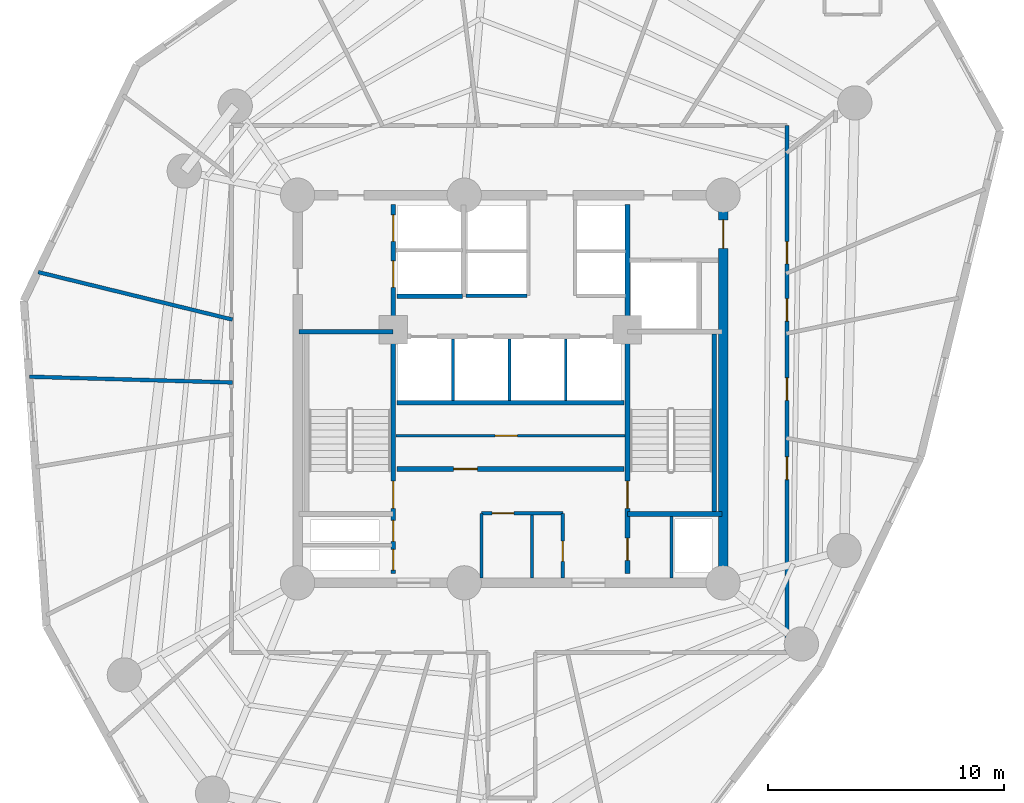
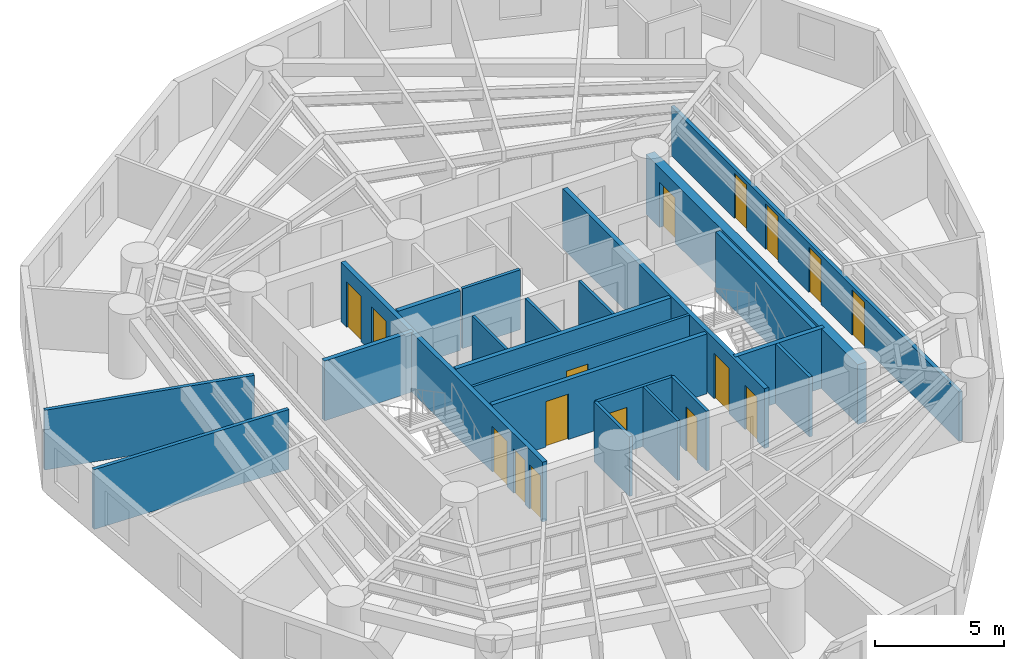
# One storey, part 4 of 7: 22 walls, 16 doors, 16 openings.
"""IFC4 building model written with IfcOpenShell, lengths in metres."""

from ifc_helpers import new_model, si_unit, direction, frame, frame_2d, origin, origin_with_axes, place, context, subcontext, project, spatial, rectangle, extrude, source, transform, mapped, material, layer, layer_set, type_object, element, fill, save


model = new_model("IFC4")

# Units and contexts
model_context = context("Model", 3, precision=1e-05, world=origin(), true_north=direction((0.0, 1.0)))
body_context = subcontext(model_context, "Body", "Model", "MODEL_VIEW")
ifc_project = project(units=[si_unit("LENGTHUNIT", "METRE"), si_unit("AREAUNIT", "SQUARE_METRE"), si_unit("VOLUMEUNIT", "CUBIC_METRE"), si_unit("PLANEANGLEUNIT", "RADIAN"), si_unit("MASSUNIT", "GRAM", prefix="KILO")], contexts=[model_context])

# Site, building, storey
site_placement = place(None, origin())
site = spatial("IfcSite", under=ifc_project, at=site_placement, CompositionType="ELEMENT")
building_placement = place(site_placement, origin())
building = spatial("IfcBuilding", under=site, at=building_placement, Name="Karkom Vertical University and Central Library", CompositionType="ELEMENT")
storey_placement = place(building_placement, frame((0.0, 0.0, 123.64990234375)))
storey = spatial("IfcBuildingStorey", under=building, at=storey_placement, Name="L34", CompositionType="ELEMENT", Elevation=123.64990234375)

# Wall, openings, doors
ifc_material_1 = material(Name="Insulated metal-stud drywall 160mm", Category="gypsum")
ifc_layer_1 = layer(ifc_material_1, 0.159912109375)
ifc_layer_set_1 = layer_set([ifc_layer_1], Name="Insulated metal-stud drywall 160mm")
wall_type_1 = type_object("IfcWallType", Name="INT-WL-COR-160", PredefinedType="PARTITIONING", material=ifc_layer_set_1)
wall_1_placement = place(storey_placement, frame((40.199951171875, 37.64990234375, 0.0), z_axis=(0.0, 0.0, 1.0), x_axis=(0.0, -1.0, 0.0)))
wall_1 = element("IfcWall", 1, at=wall_1_placement, inside=storey, type_object=wall_type_1, Name="Level 34 Interior Partition Wall L34-CORW-CW-004", PredefinedType="PARTITIONING", context=body_context, shape_type="SweptSolid", body=[
    extrude(rectangle(XDim=22.2998046875, YDim=0.159912109375, at=frame_2d((11.14990234375, 0.0))), origin(), (0.0, 0.0, 1.0), 2.3251953125),
])
opening_1_placement = place(wall_1_placement, frame((14.02001953125, 0.0, 0.0)))
opening_1 = element("IfcOpeningElement", 2, at=opening_1_placement, cuts=wall_1, Name="Opening FD-RM2", PredefinedType="OPENING", context=body_context, shape_type="SweptSolid", body=[
    extrude(rectangle(XDim=0.9599609375, YDim=2.14990234375, at=frame_2d((0.47998046875, 1.074951171875))), frame((0.0, 0.08984375, 0.0), z_axis=(0.0, -1.0, 0.0), x_axis=(1.0, 0.0, 0.0)), (0.0, 0.0, 1.0), 0.179931640625),
])
opening_2_placement = place(wall_1_placement, frame((10.675048828125, 0.0, 0.0)))
opening_2 = element("IfcOpeningElement", 3, at=opening_2_placement, cuts=wall_1, Name="Opening FD-RM2", PredefinedType="OPENING", context=body_context, shape_type="SweptSolid", body=[
    extrude(rectangle(XDim=0.9599609375, YDim=2.14990234375, at=frame_2d((0.47998046875, 1.074951171875))), frame((0.0, 0.08984375, 0.0), z_axis=(0.0, -1.0, 0.0), x_axis=(1.0, 0.0, 0.0)), (0.0, 0.0, 1.0), 0.179931640625),
])
opening_3_placement = place(wall_1_placement, frame((7.330078125, 0.0, 0.0)))
opening_3 = element("IfcOpeningElement", 4, at=opening_3_placement, cuts=wall_1, Name="Opening D-RM1", PredefinedType="OPENING", context=body_context, shape_type="SweptSolid", body=[
    extrude(rectangle(XDim=0.949951171875, YDim=2.14990234375, at=frame_2d((0.47509765625, 1.074951171875))), frame((0.0, 0.08984375, 0.0), z_axis=(0.0, -1.0, 0.0), x_axis=(1.0, 0.0, 0.0)), (0.0, 0.0, 1.0), 0.179931640625),
])
opening_4_placement = place(wall_1_placement, frame((4.909912109375, 0.0, 0.0)))
opening_4 = element("IfcOpeningElement", 5, at=opening_4_placement, cuts=wall_1, Name="Opening D-RM1", PredefinedType="OPENING", context=body_context, shape_type="SweptSolid", body=[
    extrude(rectangle(XDim=0.949951171875, YDim=2.14990234375, at=frame_2d((0.47509765625, 1.074951171875))), frame((0.0, 0.08984375, 0.0), z_axis=(0.0, -1.0, 0.0), x_axis=(1.0, 0.0, 0.0)), (0.0, 0.0, 1.0), 0.179931640625),
])
ifc_material_2 = material(Name="Fire-rated oak veneer door", Category="wood")
door_type_1 = type_object("IfcDoorType", Name="INT-DR-FRM2", OperationType="NOTDEFINED", PredefinedType="DOOR", material=ifc_material_2)
shared_shape_1 = source(origin_with_axes(), body_context, "Body", "SweptSolid", [
    extrude(rectangle(XDim=0.9599609375, YDim=2.14990234375, at=frame_2d((0.47998046875, 1.074951171875))), frame((0.0, 0.02490234375, 0.0), z_axis=(0.0, -1.0, 0.0), x_axis=(1.0, 0.0, 0.0)), (0.0, 0.0, 1.0), 0.050048828125),
])
door_1_placement = place(opening_1_placement, origin())
door_1 = element("IfcDoor", 6, at=door_1_placement, inside=storey, type_object=door_type_1, Name="Level 34 Room Entry Door 100", OperationType="SINGLE_SWING_LEFT", OverallHeight=2.14990234375, OverallWidth=0.9599609375, PredefinedType="DOOR", context=body_context, shape_type="MappedRepresentation", body=[
    mapped(shared_shape_1, transform((0.0, 0.0, 0.0), scale=1.0)),
])
fill(opening_1, door_1)
door_2_placement = place(opening_2_placement, origin())
door_2 = element("IfcDoor", 7, at=door_2_placement, inside=storey, type_object=door_type_1, Name="Level 34 Room Entry Door 110", OperationType="SINGLE_SWING_RIGHT", OverallHeight=2.14990234375, OverallWidth=0.9599609375, PredefinedType="DOOR", context=body_context, shape_type="MappedRepresentation", body=[
    mapped(shared_shape_1, transform((0.0, 0.0, 0.0), scale=1.0)),
])
fill(opening_2, door_2)
ifc_material_3 = material(Name="Solid-core oak veneer door", Category="wood")
door_type_2 = type_object("IfcDoorType", Name="INT-DR-RM1", OperationType="NOTDEFINED", PredefinedType="DOOR", material=ifc_material_3)
shared_shape_2 = source(origin_with_axes(), body_context, "Body", "SweptSolid", [
    extrude(rectangle(XDim=0.949951171875, YDim=2.14990234375, at=frame_2d((0.47509765625, 1.074951171875))), frame((0.0, 0.02490234375, 0.0), z_axis=(0.0, -1.0, 0.0), x_axis=(1.0, 0.0, 0.0)), (0.0, 0.0, 1.0), 0.050048828125),
])
door_3_placement = place(opening_3_placement, origin())
door_3 = element("IfcDoor", 8, at=door_3_placement, inside=storey, type_object=door_type_2, Name="Level 34 Room Entry Door 120", OperationType="SINGLE_SWING_LEFT", OverallHeight=2.14990234375, OverallWidth=0.949951171875, PredefinedType="DOOR", context=body_context, shape_type="MappedRepresentation", body=[
    mapped(shared_shape_2, transform((0.0, 0.0, 0.0), scale=1.0)),
])
fill(opening_3, door_3)
door_4_placement = place(opening_4_placement, origin())
door_4 = element("IfcDoor", 9, at=door_4_placement, inside=storey, type_object=door_type_2, Name="Level 34 Room Entry Door 130", OperationType="SINGLE_SWING_RIGHT", OverallHeight=2.14990234375, OverallWidth=0.949951171875, PredefinedType="DOOR", context=body_context, shape_type="MappedRepresentation", body=[
    mapped(shared_shape_2, transform((0.0, 0.0, 0.0), scale=1.0)),
])
fill(opening_4, door_4)

# Walls
wall_2_placement = place(storey_placement, frame((8.16650390625, 27.020263671875, 0.0), z_axis=(0.0, 0.0, 1.0), x_axis=(0.999592851821, -0.028532973714, 0.0)))
element("IfcWall", 10, at=wall_2_placement, inside=storey, type_object=wall_type_1, Name="Level 34 Interior Partition Wall L34-PW-002", PredefinedType="PARTITIONING", context=body_context, shape_type="SweptSolid", body=[
    extrude(rectangle(XDim=8.58203125, YDim=0.159912109375, at=frame_2d((4.291015625, 0.0))), origin(), (0.0, 0.0, 1.0), 2.8251953125),
])
wall_3_placement = place(storey_placement, frame((16.74365234375, 29.436767578125, 0.0), z_axis=(0.0, 0.0, 1.0), x_axis=(-0.971382581662, 0.23752027291, 0.0)))
element("IfcWall", 11, at=wall_3_placement, inside=storey, type_object=wall_type_1, Name="Level 34 Interior Partition Wall L34-PW-024", PredefinedType="PARTITIONING", context=body_context, shape_type="SweptSolid", body=[
    extrude(rectangle(XDim=8.458251953125, YDim=0.159912109375, at=frame_2d((4.22900390625, 0.0))), origin(), (0.0, 0.0, 1.0), 2.8251953125),
])
ifc_material_4 = material(Name="Moisture-resistant drywall 120mm", Category="gypsum")
ifc_layer_2 = layer(ifc_material_4, 0.1201171875)
ifc_layer_set_2 = layer_set([ifc_layer_2], Name="Moisture-resistant drywall 120mm")
wall_type_2 = type_object("IfcWallType", Name="INT-WL-INT-120", PredefinedType="PARTITIONING", material=ifc_layer_set_2)
wall_4_placement = place(storey_placement, frame((29.419921875, 18.507080078125, 0.0), z_axis=(0.0, 0.0, 1.0), x_axis=(0.0, 1.0, 0.0)))
element("IfcWall", 12, at=wall_4_placement, inside=storey, type_object=wall_type_2, Name="Level 34 Interior Partition Wall L34-CW-K3-DIV", PredefinedType="PARTITIONING", context=body_context, shape_type="SweptSolid", body=[
    extrude(rectangle(XDim=2.66162109375, YDim=0.1201171875, at=frame_2d((1.330810546875, 0.0))), origin(), (0.0, 0.0, 1.0), 2.8251953125),
])

# Wall, opening, door
ifc_layer_3 = layer(ifc_material_4, 0.1201171875)
ifc_layer_set_3 = layer_set([ifc_layer_3], Name="Moisture-resistant drywall 120mm")
wall_type_3 = type_object("IfcWallType", Name="INT-WL-INT-120F", PredefinedType="PARTITIONING", material=ifc_layer_set_3)
wall_5_placement = place(storey_placement, frame((23.652099609375, 24.52001953125, 0.0), z_axis=(0.0, 0.0, 1.0), x_axis=(1.0, 0.0, 0.0)))
wall_5 = element("IfcWall", 13, at=wall_5_placement, inside=storey, type_object=wall_type_3, Name="Level 34 Interior Partition Wall L34-CW-B1-K3H", PredefinedType="PARTITIONING", context=body_context, shape_type="SweptSolid", body=[
    extrude(rectangle(XDim=9.697509765625, YDim=0.1201171875, at=frame_2d((4.8486328125, 0.0))), origin(), (0.0, 0.0, 1.0), 2.8251953125),
])
opening_5_placement = place(wall_5_placement, frame((4.199951171875, 0.0, 0.0)))
opening_5 = element("IfcOpeningElement", 14, at=opening_5_placement, cuts=wall_5, Name="Opening D-WC1", PredefinedType="OPENING", context=body_context, shape_type="SweptSolid", body=[
    extrude(rectangle(XDim=0.93994140625, YDim=2.10009765625, at=frame_2d((0.469970703125, 1.050048828125))), frame((0.0, 0.070068359375, 0.0), z_axis=(0.0, -1.0, 0.0), x_axis=(1.0, 0.0, 0.0)), (0.0, 0.0, 1.0), 0.14013671875),
])
ifc_material_5 = material(Name="Fire-rated laminate moisture-resistant door", Category="wood")
door_type_3 = type_object("IfcDoorType", Name="INT-DR-WC1", OperationType="NOTDEFINED", PredefinedType="DOOR", material=ifc_material_5)
shared_shape_3 = source(origin_with_axes(), body_context, "Body", "SweptSolid", [
    extrude(rectangle(XDim=0.93994140625, YDim=2.10009765625, at=frame_2d((0.469970703125, 1.050048828125))), frame((0.0, 0.02490234375, 0.0), z_axis=(0.0, -1.0, 0.0), x_axis=(1.0, 0.0, 0.0)), (0.0, 0.0, 1.0), 0.050048828125),
])
door_5_placement = place(opening_5_placement, origin())
door_5 = element("IfcDoor", 15, at=door_5_placement, inside=storey, type_object=door_type_3, Name="Level 34 B1 Core WC Strip Door", OperationType="SINGLE_SWING_RIGHT", OverallHeight=2.10009765625, OverallWidth=0.93994140625, PredefinedType="DOOR", context=body_context, shape_type="MappedRepresentation", body=[
    mapped(shared_shape_3, transform((0.0, 0.0, 0.0), scale=1.0)),
])
fill(opening_5, door_5)

# Walls
ifc_layer_4 = layer(ifc_material_4, 0.1201171875)
ifc_layer_set_4 = layer_set([ifc_layer_4], Name="Moisture-resistant drywall 120mm")
wall_type_4 = type_object("IfcWallType", Name="INT-WL-INT-120H", PredefinedType="PARTITIONING", material=ifc_layer_set_4)
for number, where, z_axis, x_axis, name in (
    (16, (26.080078125, 26.02001953125, 0.0), (0.0, 0.0, 1.0), (0.0, 1.0, 0.0), "Level 34 Interior Partition Wall L34-CW-PM-DIV1"),
    (17, (28.4599609375, 26.02001953125, 0.0), (0.0, 0.0, 1.0), (0.0, 1.0, 0.0), "Level 34 Interior Partition Wall L34-CW-PM-DIV2"),
    (18, (30.840087890625, 26.02001953125, 0.0), (0.0, 0.0, 1.0), (0.0, 1.0, 0.0), "Level 34 Interior Partition Wall L34-CW-PM-DIV3"),
):
    element("IfcWall", number, at=place(storey_placement, frame(where, z_axis=z_axis, x_axis=x_axis)), inside=storey, type_object=wall_type_4, Name=name, PredefinedType="PARTITIONING", context=body_context, shape_type="SweptSolid", body=[
        extrude(rectangle(XDim=2.60009765625, YDim=0.1201171875, at=frame_2d((1.300048828125, 0.0))), origin(), (0.0, 0.0, 1.0), 2.8251953125),
    ])

# Wall, opening, door
ifc_material_6 = material(Name="Metal-stud gypsum partition 140mm", Category="gypsum")
ifc_layer_5 = layer(ifc_material_6, 0.139892578125)
ifc_layer_set_5 = layer_set([ifc_layer_5], Name="Metal-stud gypsum partition 140mm")
wall_type_5 = type_object("IfcWallType", Name="INT-WL-SUB-140", PredefinedType="PARTITIONING", material=ifc_layer_set_5)
wall_6_placement = place(storey_placement, frame((27.280029296875, 21.239990234375, 0.0), z_axis=(0.0, 0.0, 1.0), x_axis=(1.0, 0.0, 0.0)))
wall_6 = element("IfcWall", 19, at=wall_6_placement, inside=storey, type_object=wall_type_5, Name="Level 34 Interior Partition Wall L34-CW-KBAY-N", PredefinedType="PARTITIONING", context=body_context, shape_type="SweptSolid", body=[
    extrude(rectangle(XDim=3.43994140625, YDim=0.139892578125, at=frame_2d((1.719970703125, 0.0))), origin(), (0.0, 0.0, 1.0), 2.8251953125),
])
opening_6_placement = place(wall_6_placement, frame((0.449951171875, 0.0, 0.0)))
opening_6 = element("IfcOpeningElement", 20, at=opening_6_placement, cuts=wall_6, Name="Opening D-SVC1", PredefinedType="OPENING", context=body_context, shape_type="SweptSolid", body=[
    extrude(rectangle(XDim=0.919921875, YDim=2.10009765625, at=frame_2d((0.4599609375, 1.050048828125))), frame((0.0, 0.080078125, 0.0), z_axis=(0.0, -1.0, 0.0), x_axis=(1.0, 0.0, 0.0)), (0.0, 0.0, 1.0), 0.159912109375),
])
ifc_material_7 = material(Name="Painted timber service door", Category="wood")
door_type_4 = type_object("IfcDoorType", Name="INT-DR-SVC1", OperationType="NOTDEFINED", PredefinedType="DOOR", material=ifc_material_7)
shared_shape_4 = source(origin_with_axes(), body_context, "Body", "SweptSolid", [
    extrude(rectangle(XDim=0.919921875, YDim=2.10009765625, at=frame_2d((0.4599609375, 1.050048828125))), frame((0.0, 0.02490234375, 0.0), z_axis=(0.0, -1.0, 0.0), x_axis=(1.0, 0.0, 0.0)), (0.0, 0.0, 1.0), 0.050048828125),
])
door_6_placement = place(opening_6_placement, origin())
door_6 = element("IfcDoor", 21, at=door_6_placement, inside=storey, type_object=door_type_4, Name="Level 34 Copy Room Door", OperationType="SINGLE_SWING_LEFT", OverallHeight=2.10009765625, OverallWidth=0.919921875, PredefinedType="DOOR", context=body_context, shape_type="MappedRepresentation", body=[
    mapped(shared_shape_4, transform((0.0, 0.0, 0.0), scale=1.0)),
])
fill(opening_6, door_6)

# Wall
wall_7_placement = place(storey_placement, frame((27.280029296875, 18.507080078125, 0.0), z_axis=(0.0, 0.0, 1.0), x_axis=(0.0, 1.0, 0.0)))
element("IfcWall", 22, at=wall_7_placement, inside=storey, type_object=wall_type_5, Name="Level 34 Interior Partition Wall L34-CW-KBAY-W", PredefinedType="PARTITIONING", context=body_context, shape_type="SweptSolid", body=[
    extrude(rectangle(XDim=2.73291015625, YDim=0.139892578125, at=frame_2d((1.366455078125, 0.0))), origin(), (0.0, 0.0, 1.0), 2.8251953125),
])

# Wall, opening, door
wall_8_placement = place(storey_placement, frame((30.719970703125, 18.507080078125, 0.0), z_axis=(0.0, 0.0, 1.0), x_axis=(0.0, 1.0, 0.0)))
wall_8 = element("IfcWall", 23, at=wall_8_placement, inside=storey, type_object=wall_type_5, Name="Level 34 Interior Partition Wall L34-CW-KBAY-E", PredefinedType="PARTITIONING", context=body_context, shape_type="SweptSolid", body=[
    extrude(rectangle(XDim=2.73291015625, YDim=0.139892578125, at=frame_2d((1.366455078125, 0.0))), origin(), (0.0, 0.0, 1.0), 2.8251953125),
])
opening_7_placement = place(wall_8_placement, frame((0.699951171875, 0.0, 0.0)))
opening_7 = element("IfcOpeningElement", 24, at=opening_7_placement, cuts=wall_8, Name="Opening D-BATH", PredefinedType="OPENING", context=body_context, shape_type="SweptSolid", body=[
    extrude(rectangle(XDim=0.860107421875, YDim=2.10009765625, at=frame_2d((0.43017578125, 1.050048828125))), frame((0.0, 0.080078125, 0.0), z_axis=(0.0, -1.0, 0.0), x_axis=(1.0, 0.0, 0.0)), (0.0, 0.0, 1.0), 0.159912109375),
])
ifc_material_8 = material(Name="Moisture-resistant oak door", Category="wood")
door_type_5 = type_object("IfcDoorType", Name="INT-DR-BATH", OperationType="NOTDEFINED", PredefinedType="DOOR", material=ifc_material_8)
shared_shape_5 = source(origin_with_axes(), body_context, "Body", "SweptSolid", [
    extrude(rectangle(XDim=0.860107421875, YDim=2.10009765625, at=frame_2d((0.43017578125, 1.050048828125))), frame((0.0, 0.02490234375, 0.0), z_axis=(0.0, -1.0, 0.0), x_axis=(1.0, 0.0, 0.0)), (0.0, 0.0, 1.0), 0.050048828125),
])
door_7_placement = place(opening_7_placement, origin())
door_7 = element("IfcDoor", 25, at=door_7_placement, inside=storey, type_object=door_type_5, Name="Level 34 Janitor Door", OperationType="SINGLE_SWING_RIGHT", OverallHeight=2.10009765625, OverallWidth=0.860107421875, PredefinedType="DOOR", context=body_context, shape_type="MappedRepresentation", body=[
    mapped(shared_shape_5, transform((0.0, 0.0, 0.0), scale=1.0)),
])
fill(opening_7, door_7)

# Walls
ifc_layer_6 = layer(ifc_material_6, 0.139892578125)
ifc_layer_set_6 = layer_set([ifc_layer_6], Name="Metal-stud gypsum partition 140mm")
wall_type_6 = type_object("IfcWallType", Name="INT-WL-SUB-140H", PredefinedType="PARTITIONING", material=ifc_layer_set_6)
wall_9_placement = place(storey_placement, frame((26.6201171875, 30.449951171875, 0.0), z_axis=(0.0, 0.0, 1.0), x_axis=(1.0, 0.0, 0.0)))
element("IfcWall", 26, at=wall_9_placement, inside=storey, type_object=wall_type_6, Name="Level 34 Interior Partition Wall L34-CW-PH-S1", PredefinedType="PARTITIONING", context=body_context, shape_type="SweptSolid", body=[
    extrude(rectangle(XDim=2.579833984375, YDim=0.139892578125, at=frame_2d((1.2900390625, 0.0))), origin(), (0.0, 0.0, 1.0), 2.8251953125),
])
wall_10_placement = place(storey_placement, frame((35.320068359375, 18.507080078125, 0.0), z_axis=(0.0, 0.0, 1.0), x_axis=(0.0, 1.0, 0.0)))
element("IfcWall", 27, at=wall_10_placement, inside=storey, type_object=wall_type_6, Name="Level 34 Interior Partition Wall L34-CW-RIS-E", PredefinedType="PARTITIONING", context=body_context, shape_type="SweptSolid", body=[
    extrude(rectangle(XDim=2.603759765625, YDim=0.139892578125, at=frame_2d((1.3017578125, 0.0))), origin(), (0.0, 0.0, 1.0), 2.8251953125),
])

# Wall, opening, door
ifc_material_9 = material(Name="Concrete C50/60", Category="concrete")
ifc_layer_7 = layer(ifc_material_9, 0.39990234375)
ifc_layer_set_7 = layer_set([ifc_layer_7], Name="Concrete C50/60")
wall_type_7 = type_object("IfcWallType", Name="STR-WL-CW-400", PredefinedType="SHEAR", material=ifc_layer_set_7)
wall_11_placement = place(storey_placement, frame((37.5, 18.300048828125, 0.0), z_axis=(0.0, 0.0, 1.0), x_axis=(0.0, 1.0, 0.0)))
wall_11 = element("IfcWall", 28, at=wall_11_placement, inside=storey, type_object=wall_type_7, Name="Level 34 Central Core Shear Wall EW", PredefinedType="SHEAR", context=body_context, shape_type="SweptSolid", body=[
    extrude(rectangle(XDim=16.39990234375, YDim=0.39990234375, at=frame_2d((8.199951171875, 0.0))), origin(), (0.0, 0.0, 1.0), 2.8251953125),
])
opening_8_placement = place(wall_11_placement, frame((14.14990234375, 0.0, 0.0)))
opening_8 = element("IfcOpeningElement", 29, at=opening_8_placement, cuts=wall_11, Name="Opening FD-SUB1", PredefinedType="OPENING", context=body_context, shape_type="SweptSolid", body=[
    extrude(rectangle(XDim=1.199951171875, YDim=2.14990234375, at=frame_2d((0.60009765625, 1.074951171875))), frame((0.0, 0.2099609375, 0.0), z_axis=(0.0, -1.0, 0.0), x_axis=(1.0, 0.0, 0.0)), (0.0, 0.0, 1.0), 0.419921875),
])
ifc_material_10 = material(Name="Painted steel fire door", Category="steel")
door_type_6 = type_object("IfcDoorType", Name="INT-DR-SUB1", OperationType="NOTDEFINED", PredefinedType="DOOR", material=ifc_material_10)
shared_shape_6 = source(origin_with_axes(), body_context, "Body", "SweptSolid", [
    extrude(rectangle(XDim=1.199951171875, YDim=2.14990234375, at=frame_2d((0.60009765625, 1.074951171875))), frame((0.0, 0.02490234375, 0.0), z_axis=(0.0, -1.0, 0.0), x_axis=(1.0, 0.0, 0.0)), (0.0, 0.0, 1.0), 0.050048828125),
])
door_8_placement = place(opening_8_placement, origin())
door_8 = element("IfcDoor", 30, at=door_8_placement, inside=storey, type_object=door_type_6, Name="Level 34 East Corridor Service Lobby Door", OperationType="SINGLE_SWING_RIGHT", OverallHeight=2.14990234375, OverallWidth=1.199951171875, PredefinedType="DOOR", context=body_context, shape_type="MappedRepresentation", body=[
    mapped(shared_shape_6, transform((0.0, 0.0, 0.0), scale=1.0)),
])
fill(opening_8, door_8)

# Wall, openings, doors
ifc_material_11 = material(Name="Concrete C45/55", Category="concrete")
ifc_layer_8 = layer(ifc_material_11, 0.199951171875)
ifc_layer_set_8 = layer_set([ifc_layer_8], Name="Concrete C45/55")
wall_type_8 = type_object("IfcWallType", Name="STR-WL-ST-200", PredefinedType="SHEAR", material=ifc_layer_set_8)
wall_12_placement = place(storey_placement, frame((23.544921875, 18.699951171875, 0.0), z_axis=(0.0, 0.0, 1.0), x_axis=(0.0, 1.0, 0.0)))
wall_12 = element("IfcWall", 31, at=wall_12_placement, inside=storey, type_object=wall_type_8, Name="Level 34 Core Shaft Wall L34-CW-ST1-E", PredefinedType="SHEAR", context=body_context, shape_type="SweptSolid", body=[
    extrude(rectangle(XDim=15.60009765625, YDim=0.199951171875, at=frame_2d((7.800048828125, 0.0))), origin(), (0.0, 0.0, 1.0), 2.8251953125),
])
opening_9_placement = place(wall_12_placement, frame((2.75, 0.0, 0.0)))
opening_9 = element("IfcOpeningElement", 32, at=opening_9_placement, cuts=wall_12, Name="Opening FD-ST1", PredefinedType="OPENING", context=body_context, shape_type="SweptSolid", body=[
    extrude(rectangle(XDim=1.14990234375, YDim=2.14990234375, at=frame_2d((0.574951171875, 1.074951171875))), frame((0.0, 0.10986328125, 0.0), z_axis=(0.0, -1.0, 0.0), x_axis=(1.0, 0.0, 0.0)), (0.0, 0.0, 1.0), 0.219970703125),
])
opening_10_placement = place(wall_12_placement, frame((0.139892578125, 0.0, 0.0)))
opening_10 = element("IfcOpeningElement", 33, at=opening_10_placement, cuts=wall_12, Name="Opening FD-RIS", PredefinedType="OPENING", context=body_context, shape_type="SweptSolid", body=[
    extrude(rectangle(XDim=0.8798828125, YDim=2.10009765625, at=frame_2d((0.43994140625, 1.050048828125))), frame((0.0, 0.10986328125, 0.0), z_axis=(0.0, -1.0, 0.0), x_axis=(1.0, 0.0, 0.0)), (0.0, 0.0, 1.0), 0.219970703125),
])
opening_11_placement = place(wall_12_placement, frame((1.360107421875, 0.0, 0.0)))
opening_11 = element("IfcOpeningElement", 34, at=opening_11_placement, cuts=wall_12, Name="Opening FD-RIS", PredefinedType="OPENING", context=body_context, shape_type="SweptSolid", body=[
    extrude(rectangle(XDim=0.8798828125, YDim=2.10009765625, at=frame_2d((0.43994140625, 1.050048828125))), frame((0.0, 0.10986328125, 0.0), z_axis=(0.0, -1.0, 0.0), x_axis=(1.0, 0.0, 0.0)), (0.0, 0.0, 1.0), 0.219970703125),
])
opening_12_placement = place(wall_12_placement, frame((12.10009765625, 0.0, 0.0)))
opening_12 = element("IfcOpeningElement", 35, at=opening_12_placement, cuts=wall_12, Name="Opening LD-FFL", PredefinedType="OPENING", context=body_context, shape_type="SweptSolid", body=[
    extrude(rectangle(XDim=1.1201171875, YDim=2.14990234375, at=frame_2d((0.56005859375, 1.074951171875))), frame((0.0, 0.10986328125, 0.0), z_axis=(0.0, -1.0, 0.0), x_axis=(1.0, 0.0, 0.0)), (0.0, 0.0, 1.0), 0.219970703125),
])
opening_13_placement = place(wall_12_placement, frame((14.050048828125, 0.0, 0.0)))
opening_13 = element("IfcOpeningElement", 36, at=opening_13_placement, cuts=wall_12, Name="Opening LD-FFL", PredefinedType="OPENING", context=body_context, shape_type="SweptSolid", body=[
    extrude(rectangle(XDim=1.1201171875, YDim=2.14990234375, at=frame_2d((0.56005859375, 1.074951171875))), frame((0.0, 0.10986328125, 0.0), z_axis=(0.0, -1.0, 0.0), x_axis=(1.0, 0.0, 0.0)), (0.0, 0.0, 1.0), 0.219970703125),
])
ifc_material_12 = material(Name="Painted steel acoustic fire door", Category="steel")
door_type_7 = type_object("IfcDoorType", Name="INT-DR-ST1", OperationType="NOTDEFINED", PredefinedType="DOOR", material=ifc_material_12)
shared_shape_7 = source(origin_with_axes(), body_context, "Body", "SweptSolid", [
    extrude(rectangle(XDim=1.14990234375, YDim=2.14990234375, at=frame_2d((0.574951171875, 1.074951171875))), frame((0.0, 0.02490234375, 0.0), z_axis=(0.0, -1.0, 0.0), x_axis=(1.0, 0.0, 0.0)), (0.0, 0.0, 1.0), 0.050048828125),
])
door_9_placement = place(opening_9_placement, origin())
door_9 = element("IfcDoor", 37, at=door_9_placement, inside=storey, type_object=door_type_7, Name="Level 34 Stair ST-1 Fire Door", OperationType="SINGLE_SWING_RIGHT", OverallHeight=2.14990234375, OverallWidth=1.14990234375, PredefinedType="DOOR", context=body_context, shape_type="MappedRepresentation", body=[
    mapped(shared_shape_7, transform((0.0, 0.0, 0.0), scale=1.0)),
])
fill(opening_9, door_9)
ifc_material_13 = material(Name="Painted steel riser access door", Category="steel")
door_type_8 = type_object("IfcDoorType", Name="INT-DR-RIS", OperationType="NOTDEFINED", PredefinedType="DOOR", material=ifc_material_13)
shared_shape_8 = source(origin_with_axes(), body_context, "Body", "SweptSolid", [
    extrude(rectangle(XDim=0.8798828125, YDim=2.10009765625, at=frame_2d((0.43994140625, 1.050048828125))), frame((0.0, 0.02490234375, 0.0), z_axis=(0.0, -1.0, 0.0), x_axis=(1.0, 0.0, 0.0)), (0.0, 0.0, 1.0), 0.050048828125),
])
door_10_placement = place(opening_10_placement, origin())
door_10 = element("IfcDoor", 38, at=door_10_placement, inside=storey, type_object=door_type_8, Name="Level 34 Electrical Riser Access Door", OperationType="SINGLE_SWING_RIGHT", OverallHeight=2.10009765625, OverallWidth=0.8798828125, PredefinedType="DOOR", context=body_context, shape_type="MappedRepresentation", body=[
    mapped(shared_shape_8, transform((0.0, 0.0, 0.0), scale=1.0)),
])
fill(opening_10, door_10)
door_11_placement = place(opening_11_placement, origin())
door_11 = element("IfcDoor", 39, at=door_11_placement, inside=storey, type_object=door_type_8, Name="Level 34 Telecom Riser Access Door", OperationType="SINGLE_SWING_LEFT", OverallHeight=2.10009765625, OverallWidth=0.8798828125, PredefinedType="DOOR", context=body_context, shape_type="MappedRepresentation", body=[
    mapped(shared_shape_8, transform((0.0, 0.0, 0.0), scale=1.0)),
])
fill(opening_11, door_11)
ifc_material_14 = material(Name="Fire-rated stainless-steel landing door", Category="steel")
door_type_9 = type_object("IfcDoorType", Name="INT-DR-LD-FFL", OperationType="SLIDING_TO_LEFT", PredefinedType="DOOR", material=ifc_material_14)
shared_shape_9 = source(origin_with_axes(), body_context, "Body", "SweptSolid", [
    extrude(rectangle(XDim=1.1201171875, YDim=2.14990234375, at=frame_2d((0.56005859375, 1.074951171875))), frame((0.0, 0.02490234375, 0.0), z_axis=(0.0, -1.0, 0.0), x_axis=(1.0, 0.0, 0.0)), (0.0, 0.0, 1.0), 0.050048828125),
])
door_12_placement = place(opening_12_placement, origin())
door_12 = element("IfcDoor", 40, at=door_12_placement, inside=storey, type_object=door_type_9, Name="Level 34 Firefighting Lift FFL-1 Landing Door", OperationType="SLIDING_TO_LEFT", OverallHeight=2.14990234375, OverallWidth=1.1201171875, PredefinedType="DOOR", context=body_context, shape_type="MappedRepresentation", body=[
    mapped(shared_shape_9, transform((0.0, 0.0, 0.0), scale=1.0)),
])
fill(opening_12, door_12)
door_13_placement = place(opening_13_placement, origin())
door_13 = element("IfcDoor", 41, at=door_13_placement, inside=storey, type_object=door_type_9, Name="Level 34 Firefighting Lift FFL-2 Landing Door", OperationType="SLIDING_TO_RIGHT", OverallHeight=2.14990234375, OverallWidth=1.1201171875, PredefinedType="DOOR", context=body_context, shape_type="MappedRepresentation", body=[
    mapped(shared_shape_9, transform((0.0, 0.0, 0.0), scale=1.0)),
])
fill(opening_13, door_13)

wall_13_placement = place(storey_placement, frame((33.455078125, 18.699951171875, 0.0), z_axis=(0.0, 0.0, 1.0), x_axis=(0.0, 1.0, 0.0)))
wall_13 = element("IfcWall", 42, at=wall_13_placement, inside=storey, type_object=wall_type_8, Name="Level 34 Core Shaft Wall L34-CW-ST2-W", PredefinedType="SHEAR", context=body_context, shape_type="SweptSolid", body=[
    extrude(rectangle(XDim=15.60009765625, YDim=0.199951171875, at=frame_2d((7.800048828125, 0.0))), origin(), (0.0, 0.0, 1.0), 2.8251953125),
])
opening_14_placement = place(wall_13_placement, frame((2.75, 0.0, 0.0)))
opening_14 = element("IfcOpeningElement", 43, at=opening_14_placement, cuts=wall_13, Name="Opening FD-ST1", PredefinedType="OPENING", context=body_context, shape_type="SweptSolid", body=[
    extrude(rectangle(XDim=1.14990234375, YDim=2.14990234375, at=frame_2d((0.574951171875, 1.074951171875))), frame((0.0, 0.10986328125, 0.0), z_axis=(0.0, -1.0, 0.0), x_axis=(1.0, 0.0, 0.0)), (0.0, 0.0, 1.0), 0.219970703125),
])
opening_15_placement = place(wall_13_placement, frame((0.550048828125, 0.0, 0.0)))
opening_15 = element("IfcOpeningElement", 44, at=opening_15_placement, cuts=wall_13, Name="Opening D-WC1", PredefinedType="OPENING", context=body_context, shape_type="SweptSolid", body=[
    extrude(rectangle(XDim=0.93994140625, YDim=2.10009765625, at=frame_2d((0.469970703125, 1.050048828125))), frame((0.0, 0.10986328125, 0.0), z_axis=(0.0, -1.0, 0.0), x_axis=(1.0, 0.0, 0.0)), (0.0, 0.0, 1.0), 0.219970703125),
])
door_14_placement = place(opening_14_placement, origin())
door_14 = element("IfcDoor", 45, at=door_14_placement, inside=storey, type_object=door_type_7, Name="Level 34 Stair ST-2 Fire Door", OperationType="SINGLE_SWING_LEFT", OverallHeight=2.14990234375, OverallWidth=1.14990234375, PredefinedType="DOOR", context=body_context, shape_type="MappedRepresentation", body=[
    mapped(shared_shape_7, transform((0.0, 0.0, 0.0), scale=1.0)),
])
fill(opening_14, door_14)
door_15_placement = place(opening_15_placement, origin())
door_15 = element("IfcDoor", 46, at=door_15_placement, inside=storey, type_object=door_type_3, Name="Level 34 Accessible WC Door", OperationType="SINGLE_SWING_RIGHT", OverallHeight=2.10009765625, OverallWidth=0.93994140625, PredefinedType="DOOR", context=body_context, shape_type="MappedRepresentation", body=[
    mapped(shared_shape_3, transform((0.0, 0.0, 0.0), scale=1.0)),
])
fill(opening_15, door_15)

# Wall, opening, door
wall_14_placement = place(storey_placement, frame((23.699951171875, 23.1201171875, 0.0), z_axis=(0.0, 0.0, 1.0), x_axis=(1.0, 0.0, 0.0)))
wall_14 = element("IfcWall", 47, at=wall_14_placement, inside=storey, type_object=wall_type_8, Name="Level 34 Core Shaft Wall L34-CW-B1-S", PredefinedType="SHEAR", context=body_context, shape_type="SweptSolid", body=[
    extrude(rectangle(XDim=9.60009765625, YDim=0.199951171875, at=frame_2d((4.800048828125, 0.0))), origin(), (0.0, 0.0, 1.0), 2.8251953125),
])
opening_16_placement = place(wall_14_placement, frame((2.39990234375, 0.0, 0.0)))
opening_16 = element("IfcOpeningElement", 48, at=opening_16_placement, cuts=wall_14, Name="Opening D-STR1", PredefinedType="OPENING", context=body_context, shape_type="SweptSolid", body=[
    extrude(rectangle(XDim=1.0, YDim=2.14990234375, at=frame_2d((0.5, 1.074951171875))), frame((0.0, 0.10986328125, 0.0), z_axis=(0.0, -1.0, 0.0), x_axis=(1.0, 0.0, 0.0)), (0.0, 0.0, 1.0), 0.219970703125),
])
ifc_material_15 = material(Name="Solid-core hardwood fire door", Category="wood")
door_type_10 = type_object("IfcDoorType", Name="INT-DR-STR1", OperationType="NOTDEFINED", PredefinedType="DOOR", material=ifc_material_15)
shared_shape_10 = source(origin_with_axes(), body_context, "Body", "SweptSolid", [
    extrude(rectangle(XDim=1.0, YDim=2.14990234375, at=frame_2d((0.5, 1.074951171875))), frame((0.0, 0.02490234375, 0.0), z_axis=(0.0, -1.0, 0.0), x_axis=(1.0, 0.0, 0.0)), (0.0, 0.0, 1.0), 0.050048828125),
])
door_16_placement = place(opening_16_placement, origin())
door_16 = element("IfcDoor", 49, at=door_16_placement, inside=storey, type_object=door_type_10, Name="Level 34 B1 Archive Strip Door", OperationType="SINGLE_SWING_LEFT", OverallHeight=2.14990234375, OverallWidth=1.0, PredefinedType="DOOR", context=body_context, shape_type="MappedRepresentation", body=[
    mapped(shared_shape_10, transform((0.0, 0.0, 0.0), scale=1.0)),
])
fill(opening_16, door_16)

# Walls
wall_15_placement = place(storey_placement, frame((23.699951171875, 25.919921875, 0.0), z_axis=(0.0, 0.0, 1.0), x_axis=(1.0, 0.0, 0.0)))
element("IfcWall", 50, at=wall_15_placement, inside=storey, type_object=wall_type_8, Name="Level 34 Core Shaft Wall L34-CW-B1-N", PredefinedType="SHEAR", context=body_context, shape_type="SweptSolid", body=[
    extrude(rectangle(XDim=9.60009765625, YDim=0.199951171875, at=frame_2d((4.800048828125, 0.0))), origin(), (0.0, 0.0, 1.0), 2.8251953125),
])
wall_16_placement = place(storey_placement, frame((37.125, 21.320068359375, 0.0), z_axis=(0.0, 0.0, 1.0), x_axis=(0.0, 1.0, 0.0)))
element("IfcWall", 51, at=wall_16_placement, inside=storey, type_object=wall_type_8, Name="Level 34 Core Shaft Wall L34-CW-ST2-E", PredefinedType="SHEAR", context=body_context, shape_type="SweptSolid", body=[
    extrude(rectangle(XDim=7.5, YDim=0.199951171875, at=frame_2d((3.75, 0.0))), origin(), (0.0, 0.0, 1.0), 2.8251953125),
])
for number, where, z_axis, x_axis, name in (
    (52, (33.455078125, 21.215087890625, 0.0), (0.0, 0.0, 1.0), (1.0, 0.0, 0.0), "Level 34 Core Shaft Wall L34-CW-ST2-S"),
    (53, (19.550048828125, 28.925048828125, 0.0), (0.0, 0.0, 1.0), (1.0, 0.0, 0.0), "Level 34 Core Shaft Wall L34-CW-ST1-N"),
):
    element("IfcWall", number, at=place(storey_placement, frame(where, z_axis=z_axis, x_axis=x_axis)), inside=storey, type_object=wall_type_8, Name=name, PredefinedType="SHEAR", context=body_context, shape_type="SweptSolid", body=[
        extrude(rectangle(XDim=3.994873046875, YDim=0.199951171875, at=frame_2d((1.99755859375, 0.0))), origin(), (0.0, 0.0, 1.0), 2.8251953125),
    ])
wall_17_placement = place(storey_placement, frame((23.699951171875, 30.419921875, 0.0), z_axis=(0.0, 0.0, 1.0), x_axis=(1.0, 0.0, 0.0)))
element("IfcWall", 54, at=wall_17_placement, inside=storey, type_object=wall_type_8, Name="Level 34 Core Shaft Wall L34-CW-FFL-S", PredefinedType="SHEAR", context=body_context, shape_type="SweptSolid", body=[
    extrude(rectangle(XDim=2.780029296875, YDim=0.199951171875, at=frame_2d((1.39013671875, 0.0))), origin(), (0.0, 0.0, 1.0), 2.8251953125),
])

save(model, "model.ifc")
